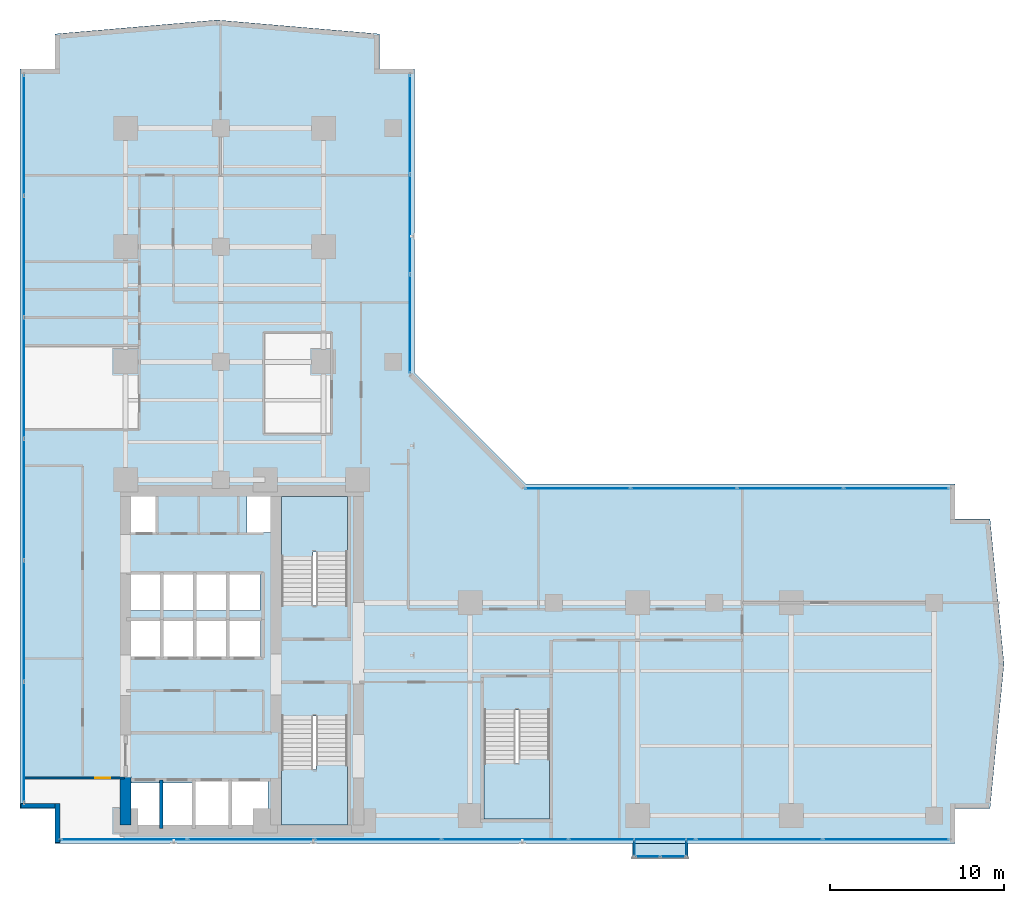
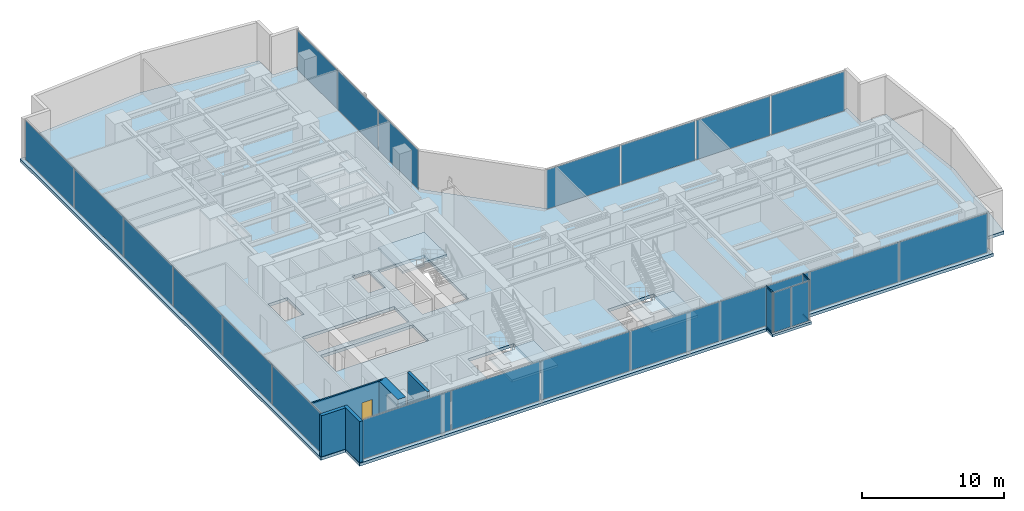
# One storey, part 19 of 28: 24 plates, 5 slabs, 5 walls, 4 members, 1 door, 1 opening, 10 elements without a shape of their own.
"""IFC4 building model written with IfcOpenShell, lengths in metres."""

from ifc_helpers import new_model, si_unit, direction, frame, frame_2d, origin, origin_with_axes, origin_2d, place, context, subcontext, project, spatial, polyline, rectangle, hollow_rectangle, outline, extrude, source, transform, mapped, material, layer, layer_set, material_profile, profile_set, type_object, element, fill, aggregate, save


model = new_model("IFC4")

# Units and contexts
model_context = context("Model", 3, precision=1e-05, world=origin(), true_north=direction((0.0, 1.0)))
body_context = subcontext(model_context, "Body", "Model", "MODEL_VIEW")
ifc_project = project(units=[si_unit("LENGTHUNIT", "METRE"), si_unit("AREAUNIT", "SQUARE_METRE"), si_unit("VOLUMEUNIT", "CUBIC_METRE"), si_unit("PLANEANGLEUNIT", "RADIAN"), si_unit("MASSUNIT", "GRAM", prefix="KILO")], contexts=[model_context])

# Site, building, storey
site_placement = place(None, origin())
site = spatial("IfcSite", under=ifc_project, at=site_placement, CompositionType="ELEMENT")
building_placement = place(site_placement, origin())
building = spatial("IfcBuilding", under=site, at=building_placement, Name="Kolvaren Waterfront Exchange", CompositionType="ELEMENT")
storey_placement = place(building_placement, frame((0.0, 0.0, 133.5)))
storey = spatial("IfcBuildingStorey", under=building, at=storey_placement, Name="L34", CompositionType="ELEMENT", Elevation=133.5)

# Curtain wall, members
ifc_material_1 = material(Name="Anodised bronze aluminium 6063-T6", Category="aluminium")
ifc_layer_1 = layer(ifc_material_1, 0.219970703125, Name="Anodised bronze aluminium 6063-T6")
ifc_layer_set_1 = layer_set([ifc_layer_1], Name="Anodised bronze aluminium 6063-T6")
curtain_wall_type_1 = type_object("IfcCurtainWallType", Name="ARC-CW-SYS3", PredefinedType="USERDEFINED", material=ifc_layer_set_1)
curtain_wall_1_placement = place(storey_placement, origin())
curtain_wall_1 = element("IfcCurtainWall", 1, at=curtain_wall_1_placement, inside=storey, type_object=curtain_wall_type_1, Name="L34 stick curtain wall CW3 (CW-L34-BOX-W)", ObjectType="STICK CURTAIN WALL", PredefinedType="USERDEFINED")
ifc_material_profile = material_profile(ifc_material_1, hollow_rectangle(XDim=0.06494140625, YDim=0.1298828125, WallThickness=0.00390625, at=origin_2d()), Name="ALU-TRN-130x65x4")
ifc_profile_set = profile_set([ifc_material_profile], Name="Anodised bronze aluminium 6063-T6")
member_type = type_object("IfcMemberType", Name="ARC-CWT-130", PredefinedType="USERDEFINED", material=ifc_profile_set)
shared_shape_1 = source(origin_with_axes(), body_context, "Body", "SweptSolid", [
    extrude(hollow_rectangle(XDim=0.06494140625, YDim=0.1298828125, WallThickness=0.00390625, at=origin_2d()), origin(), (0.0, 0.0, 1.0), 0.829833984375),
])
member_1_placement = place(storey_placement, frame((36.610107421875, 3.764892578125, 0.032470703125), z_axis=(0.0, -1.0, 0.0), x_axis=(1.0, 0.0, 0.0)))
member_1 = element("IfcMember", 2, at=member_1_placement, type_object=member_type, Name="CW3 transom 1.1", ObjectType="TRANSOM", PredefinedType="USERDEFINED", context=body_context, shape_type="MappedRepresentation", body=[
    mapped(shared_shape_1, transform((0.0, 0.0, 0.0), x_axis=(1.0, 0.0, 0.0), y_axis=(0.0, 1.0, 0.0), z_axis=(0.0, 0.0, 1.0), scale=1.0)),
])
member_2_placement = place(storey_placement, frame((36.610107421875, 3.764892578125, 3.507568359375), z_axis=(0.0, -1.0, 0.0), x_axis=(1.0, 0.0, 0.0)))
member_2 = element("IfcMember", 3, at=member_2_placement, type_object=member_type, Name="CW3 transom 1.2", ObjectType="TRANSOM", PredefinedType="USERDEFINED", context=body_context, shape_type="MappedRepresentation", body=[
    mapped(shared_shape_1, transform((0.0, 0.0, 0.0), x_axis=(1.0, 0.0, 0.0), y_axis=(0.0, 1.0, 0.0), z_axis=(0.0, 0.0, 1.0), scale=1.0)),
])

curtain_wall_2_placement = place(storey_placement, origin())
curtain_wall_2 = element("IfcCurtainWall", 4, at=curtain_wall_2_placement, inside=storey, type_object=curtain_wall_type_1, Name="L34 stick curtain wall CW3 (CW-L34-BOX-E)", ObjectType="STICK CURTAIN WALL", PredefinedType="USERDEFINED")
member_3_placement = place(storey_placement, frame((39.590087890625, 2.93505859375, 0.032470703125), z_axis=(0.0, 1.0, 0.0), x_axis=(-1.0, 0.0, 0.0)))
member_3 = element("IfcMember", 5, at=member_3_placement, type_object=member_type, Name="CW3 transom 1.1", ObjectType="TRANSOM", PredefinedType="USERDEFINED", context=body_context, shape_type="MappedRepresentation", body=[
    mapped(shared_shape_1, transform((0.0, 0.0, 0.0), x_axis=(1.0, 0.0, 0.0), y_axis=(0.0, 1.0, 0.0), z_axis=(0.0, 0.0, 1.0), scale=1.0)),
])
member_4_placement = place(storey_placement, frame((39.590087890625, 2.93505859375, 3.507568359375), z_axis=(0.0, 1.0, 0.0), x_axis=(-1.0, 0.0, 0.0)))
member_4 = element("IfcMember", 6, at=member_4_placement, type_object=member_type, Name="CW3 transom 1.2", ObjectType="TRANSOM", PredefinedType="USERDEFINED", context=body_context, shape_type="MappedRepresentation", body=[
    mapped(shared_shape_1, transform((0.0, 0.0, 0.0), x_axis=(1.0, 0.0, 0.0), y_axis=(0.0, 1.0, 0.0), z_axis=(0.0, 0.0, 1.0), scale=1.0)),
])

# Stair, slab
ifc_material_2 = material(Name="Concrete C40/50", Category="concrete")
stair_type = type_object("IfcStairType", Name="ARC-STAIR-3800", PredefinedType="HALF_TURN_STAIR", material=ifc_material_2)
stair_1_placement = place(storey_placement, origin())
stair_1 = element("IfcStair", 7, at=stair_1_placement, inside=storey, type_object=stair_type, Name="L34 Smoke-proof exit stair ST1", PredefinedType="HALF_TURN_STAIR")
ifc_layer_2 = layer(ifc_material_2, 0.199951171875, Name="Concrete C40/50")
ifc_layer_set_2 = layer_set([ifc_layer_2], Name="Concrete C40/50")
slab_type_1 = type_object("IfcSlabType", Name="STR-LANDING-200", PredefinedType="LANDING", material=ifc_layer_set_2)
slab_1_placement = place(storey_placement, frame((0.0, 0.0, 1.77587890625)))
slab_1 = element("IfcSlab", 8, at=slab_1_placement, type_object=slab_type_1, Name="ST1 landing 1", PredefinedType="LANDING", context=body_context, shape_type="SweptSolid", body=[
    extrude(outline(polyline([(16.39990234375, 7.840087890625), (16.39990234375, 4.64990234375), (20.159912109375, 4.64990234375), (20.159912109375, 8.10009765625), (18.360107421875, 8.10009765625), (18.360107421875, 7.840087890625), (16.39990234375, 7.840087890625)])), origin(), (0.0, 0.0, 1.0), 0.2001953125),
])
aggregate(stair_1, [slab_1])

stair_2_placement = place(storey_placement, origin())
stair_2 = element("IfcStair", 9, at=stair_2_placement, inside=storey, type_object=stair_type, Name="L34 Smoke-proof exit stair ST2", PredefinedType="HALF_TURN_STAIR")
slab_2_placement = place(storey_placement, frame((0.0, 0.0, 1.77587890625)))
slab_2 = element("IfcSlab", 10, at=slab_2_placement, type_object=slab_type_1, Name="ST2 landing 1", PredefinedType="LANDING", context=body_context, shape_type="SweptSolid", body=[
    extrude(outline(polyline([(20.159912109375, 20.31005859375), (20.159912109375, 23.5), (16.39990234375, 23.5), (16.39990234375, 20.050048828125), (18.199951171875, 20.050048828125), (18.199951171875, 20.31005859375), (20.159912109375, 20.31005859375)])), origin(), (0.0, 0.0, 1.0), 0.2001953125),
])
aggregate(stair_2, [slab_2])

stair_3_placement = place(storey_placement, origin())
stair_3 = element("IfcStair", 11, at=stair_3_placement, inside=storey, type_object=stair_type, Name="L34 Exit stair ST3", PredefinedType="HALF_TURN_STAIR")
slab_3_placement = place(storey_placement, frame((0.0, 0.0, 1.77587890625)))
slab_3 = element("IfcSlab", 12, at=slab_3_placement, type_object=slab_type_1, Name="ST3 landing 1", PredefinedType="LANDING", context=body_context, shape_type="SweptSolid", body=[
    extrude(outline(polyline([(28.0, 8.18994140625), (28.0, 5.0), (31.760009765625, 5.0), (31.760009765625, 8.449951171875), (29.9599609375, 8.449951171875), (29.9599609375, 8.18994140625), (28.0, 8.18994140625)])), origin(), (0.0, 0.0, 1.0), 0.2001953125),
])
aggregate(stair_3, [slab_3])

# Slabs
ifc_layer_3 = layer(ifc_material_2, 0.260009765625, Name="Concrete C40/50")
ifc_layer_set_3 = layer_set([ifc_layer_3], Name="Concrete C40/50")
slab_type_2 = type_object("IfcSlabType", Name="STR-SLAB-260", PredefinedType="FLOOR", material=ifc_layer_set_3)
slab_4_placement = place(storey_placement, frame((0.0, 0.0, -0.260009765625)))
element("IfcSlab", 13, at=slab_4_placement, inside=storey, type_object=slab_type_2, Name="L34 structural floor slab", PredefinedType="FLOOR", context=body_context, shape_type="SweptSolid", body=[
    extrude(outline(polyline([(3.39990234375, 3.60009765625), (55.0, 3.60009765625), (55.0, 5.60009765625), (57.0, 5.60009765625), (57.800048828125, 13.89990234375), (57.0, 22.199951171875), (55.0, 22.199951171875), (55.0, 24.199951171875), (30.39990234375, 24.199951171875), (24.0, 30.60009765625), (24.0, 48.0), (22.0, 48.0), (22.0, 50.0), (12.699951171875, 50.800048828125), (3.39990234375, 50.0), (3.39990234375, 48.0), (1.39990234375, 48.0), (1.39990234375, 5.60009765625), (3.39990234375, 5.60009765625), (3.39990234375, 3.60009765625)]), holes=[polyline([(11.320068359375, 7.260009765625), (15.610107421875, 7.260009765625), (15.610107421875, 4.5400390625), (7.719970703125, 4.5400390625), (7.719970703125, 7.06005859375), (11.320068359375, 7.06005859375), (11.320068359375, 7.260009765625)]), polyline([(20.159912109375, 10.89990234375), (20.159912109375, 4.64990234375), (16.39990234375, 4.64990234375), (16.39990234375, 10.89990234375), (20.159912109375, 10.89990234375)]), polyline([(31.760009765625, 11.25), (31.760009765625, 5.0), (28.0, 5.0), (28.0, 11.25), (31.760009765625, 11.25)]), polyline([(15.18505859375, 14.239990234375), (7.64501953125, 14.239990234375), (7.64501953125, 16.4599609375), (15.18505859375, 16.4599609375), (15.18505859375, 14.239990234375)]), polyline([(15.159912109375, 16.93994140625), (7.669921875, 16.93994140625), (7.669921875, 19.06005859375), (15.159912109375, 19.06005859375), (15.159912109375, 16.93994140625)]), polyline([(16.39990234375, 23.5), (20.159912109375, 23.5), (20.159912109375, 17.25), (16.39990234375, 17.25), (16.39990234375, 23.5)]), polyline([(7.60009765625, 23.780029296875), (9.179931640625, 23.780029296875), (9.179931640625, 21.419921875), (7.60009765625, 21.419921875), (7.60009765625, 23.780029296875)]), polyline([(15.800048828125, 23.780029296875), (15.800048828125, 21.419921875), (14.419921875, 21.419921875), (14.419921875, 23.780029296875), (15.800048828125, 23.780029296875)])]), origin(), (0.0, 0.0, 1.0), 0.260009765625),
])
ifc_layer_4 = layer(ifc_material_2, 0.219970703125, Name="Concrete C40/50")
ifc_layer_set_4 = layer_set([ifc_layer_4], Name="Concrete C40/50")
slab_type_3 = type_object("IfcSlabType", Name="STR-TERR-220", PredefinedType="FLOOR", material=ifc_layer_set_4)
slab_5_placement = place(storey_placement, frame((0.0, 0.0, -0.219970703125)))
element("IfcSlab", 14, at=slab_5_placement, inside=storey, type_object=slab_type_3, Name="L34 projecting bay-box floor strip", PredefinedType="FLOOR", context=body_context, shape_type="SweptSolid", body=[
    extrude(outline(polyline([(36.5, 2.75), (39.699951171875, 2.75), (39.699951171875, 3.60009765625), (36.5, 3.60009765625), (36.5, 2.75)])), origin(), (0.0, 0.0, 1.0), 0.219970703125),
])

# Plate
ifc_material_3 = material(Name="Bronze tinted bay-box vision glass", Category="aluminium")
ifc_layer_5 = layer(ifc_material_3, 0.02392578125, Name="Bronze tinted bay-box vision glass")
ifc_layer_set_5 = layer_set([ifc_layer_5], Name="Bronze tinted bay-box vision glass")
plate_type_1 = type_object("IfcPlateType", Name="ARC-CWP-24", PredefinedType="CURTAIN_PANEL", material=ifc_layer_set_5)
shared_shape_2 = source(origin_with_axes(), body_context, "Body", "SweptSolid", [
    extrude(rectangle(XDim=0.830078125, YDim=0.02392578125, at=origin_2d()), origin(), (0.0, 0.0, 1.0), 3.409912109375),
])
plate_1_placement = place(storey_placement, frame((36.610107421875, 3.35009765625, 0.06494140625), z_axis=(0.0, 0.0, 1.0), x_axis=(0.0, -1.0, 0.0)))
plate_1 = element("IfcPlate", 15, at=plate_1_placement, type_object=plate_type_1, Name="CW3 panel 1.1", PredefinedType="CURTAIN_PANEL", context=body_context, shape_type="MappedRepresentation", body=[
    mapped(shared_shape_2, transform((0.0, 0.0, 0.0), x_axis=(1.0, 0.0, 0.0), y_axis=(0.0, 1.0, 0.0), z_axis=(0.0, 0.0, 1.0), scale=1.0)),
])

aggregate(curtain_wall_1, [member_1, member_2, plate_1])

plate_2_placement = place(storey_placement, frame((39.590087890625, 3.35009765625, 0.06494140625), z_axis=(0.0, 0.0, 1.0), x_axis=(0.0, 1.0, 0.0)))
plate_2 = element("IfcPlate", 16, at=plate_2_placement, type_object=plate_type_1, Name="CW3 panel 1.1", PredefinedType="CURTAIN_PANEL", context=body_context, shape_type="MappedRepresentation", body=[
    mapped(shared_shape_2, transform((0.0, 0.0, 0.0), x_axis=(1.0, 0.0, 0.0), y_axis=(0.0, 1.0, 0.0), z_axis=(0.0, 0.0, 1.0), scale=1.0)),
])

aggregate(curtain_wall_2, [member_3, member_4, plate_2])

# Curtain wall, plates
curtain_wall_3_placement = place(storey_placement, origin())
curtain_wall_3 = element("IfcCurtainWall", 17, at=curtain_wall_3_placement, inside=storey, type_object=curtain_wall_type_1, Name="L34 stick curtain wall CW3 (CW-L34-BOX)", ObjectType="STICK CURTAIN WALL", PredefinedType="USERDEFINED")
shared_shape_3 = source(origin_with_axes(), body_context, "Body", "SweptSolid", [
    extrude(rectangle(XDim=1.37744140625, YDim=0.02392578125, at=origin_2d()), origin(), (0.0, 0.0, 1.0), 3.409912109375),
])
plate_3_placement = place(storey_placement, frame((37.373779296875, 2.860107421875, 0.06494140625), z_axis=(0.0, 0.0, 1.0), x_axis=(1.0, 0.0, 0.0)))
plate_3 = element("IfcPlate", 18, at=plate_3_placement, type_object=plate_type_1, Name="CW3 panel 1.1", PredefinedType="CURTAIN_PANEL", context=body_context, shape_type="MappedRepresentation", body=[
    mapped(shared_shape_3, transform((0.0, 0.0, 0.0), x_axis=(1.0, 0.0, 0.0), y_axis=(0.0, 1.0, 0.0), z_axis=(0.0, 0.0, 1.0), scale=1.0)),
])
plate_4_placement = place(storey_placement, frame((38.826171875, 2.860107421875, 0.06494140625), z_axis=(0.0, 0.0, 1.0), x_axis=(1.0, 0.0, 0.0)))
plate_4 = element("IfcPlate", 19, at=plate_4_placement, type_object=plate_type_1, Name="CW3 panel 2.1", PredefinedType="CURTAIN_PANEL", context=body_context, shape_type="MappedRepresentation", body=[
    mapped(shared_shape_3, transform((0.0, 0.0, 0.0), x_axis=(1.0, 0.0, 0.0), y_axis=(0.0, 1.0, 0.0), z_axis=(0.0, 0.0, 1.0), scale=1.0)),
])
aggregate(curtain_wall_3, [plate_3, plate_4])

ifc_material_4 = material(Name="Anodised aluminium 6063-T6", Category="aluminium")
ifc_layer_6 = layer(ifc_material_4, 0.219970703125, Name="Anodised aluminium 6063-T6")
ifc_layer_set_6 = layer_set([ifc_layer_6], Name="Anodised aluminium 6063-T6")
curtain_wall_type_2 = type_object("IfcCurtainWallType", Name="ARC-CW-SYS2", PredefinedType="USERDEFINED", material=ifc_layer_set_6)
curtain_wall_4_placement = place(storey_placement, origin())
curtain_wall_4 = element("IfcCurtainWall", 20, at=curtain_wall_4_placement, inside=storey, type_object=curtain_wall_type_2, Name="L34 stick curtain wall CW2 (CW-L34-W)", ObjectType="STICK CURTAIN WALL", PredefinedType="USERDEFINED")
ifc_material_5 = material(Name="Acoustic laminated vision glass", Category="glass")
ifc_layer_7 = layer(ifc_material_5, 0.031982421875, Name="Acoustic laminated vision glass")
ifc_layer_set_7 = layer_set([ifc_layer_7], Name="Acoustic laminated vision glass")
plate_type_2 = type_object("IfcPlateType", Name="ARC-CWP-32", PredefinedType="CURTAIN_PANEL", material=ifc_layer_set_7)
shared_shape_4 = source(origin_with_axes(), body_context, "Body", "SweptSolid", [
    extrude(rectangle(XDim=6.8466796875, YDim=0.031982421875, at=origin_2d()), origin(), (0.0, 0.0, 1.0), 3.389892578125),
])
plate_5_placement = place(storey_placement, frame((1.639892578125, 9.4033203125, 0.0751953125), z_axis=(0.0, 0.0, 1.0), x_axis=(0.0, 1.0, 0.0)))
plate_5 = element("IfcPlate", 21, at=plate_5_placement, type_object=plate_type_2, Name="CW2 panel 1.1", PredefinedType="CURTAIN_PANEL", context=body_context, shape_type="MappedRepresentation", body=[
    mapped(shared_shape_4, transform((0.0, 0.0, 0.0), x_axis=(1.0, 0.0, 0.0), y_axis=(0.0, 1.0, 0.0), z_axis=(0.0, 0.0, 1.0), scale=1.0)),
])
plate_6_placement = place(storey_placement, frame((1.639892578125, 44.19677734375, 0.0751953125), z_axis=(0.0, 0.0, 1.0), x_axis=(0.0, 1.0, 0.0)))
plate_6 = element("IfcPlate", 22, at=plate_6_placement, type_object=plate_type_2, Name="CW2 panel 6.1", PredefinedType="CURTAIN_PANEL", context=body_context, shape_type="MappedRepresentation", body=[
    mapped(shared_shape_4, transform((0.0, 0.0, 0.0), x_axis=(1.0, 0.0, 0.0), y_axis=(0.0, 1.0, 0.0), z_axis=(0.0, 0.0, 1.0), scale=1.0)),
])
shared_shape_5 = source(origin_with_axes(), body_context, "Body", "SweptSolid", [
    extrude(rectangle(XDim=6.88671875, YDim=0.031982421875, at=origin_2d()), origin(), (0.0, 0.0, 1.0), 3.389892578125),
])
plate_7_placement = place(storey_placement, frame((1.639892578125, 16.35009765625, 0.0751953125), z_axis=(0.0, 0.0, 1.0), x_axis=(0.0, 1.0, 0.0)))
plate_7 = element("IfcPlate", 23, at=plate_7_placement, type_object=plate_type_2, Name="CW2 panel 2.1", PredefinedType="CURTAIN_PANEL", context=body_context, shape_type="MappedRepresentation", body=[
    mapped(shared_shape_5, transform((0.0, 0.0, 0.0), x_axis=(1.0, 0.0, 0.0), y_axis=(0.0, 1.0, 0.0), z_axis=(0.0, 0.0, 1.0), scale=1.0)),
])
plate_8_placement = place(storey_placement, frame((1.639892578125, 23.316650390625, 0.0751953125), z_axis=(0.0, 0.0, 1.0), x_axis=(0.0, 1.0, 0.0)))
plate_8 = element("IfcPlate", 24, at=plate_8_placement, type_object=plate_type_2, Name="CW2 panel 3.1", PredefinedType="CURTAIN_PANEL", context=body_context, shape_type="MappedRepresentation", body=[
    mapped(shared_shape_5, transform((0.0, 0.0, 0.0), x_axis=(1.0, 0.0, 0.0), y_axis=(0.0, 1.0, 0.0), z_axis=(0.0, 0.0, 1.0), scale=1.0)),
])
plate_9_placement = place(storey_placement, frame((1.639892578125, 30.283447265625, 0.0751953125), z_axis=(0.0, 0.0, 1.0), x_axis=(0.0, 1.0, 0.0)))
plate_9 = element("IfcPlate", 25, at=plate_9_placement, type_object=plate_type_2, Name="CW2 panel 4.1", PredefinedType="CURTAIN_PANEL", context=body_context, shape_type="MappedRepresentation", body=[
    mapped(shared_shape_5, transform((0.0, 0.0, 0.0), x_axis=(1.0, 0.0, 0.0), y_axis=(0.0, 1.0, 0.0), z_axis=(0.0, 0.0, 1.0), scale=1.0)),
])
plate_10_placement = place(storey_placement, frame((1.639892578125, 37.25, 0.0751953125), z_axis=(0.0, 0.0, 1.0), x_axis=(0.0, 1.0, 0.0)))
plate_10 = element("IfcPlate", 26, at=plate_10_placement, type_object=plate_type_2, Name="CW2 panel 5.1", PredefinedType="CURTAIN_PANEL", context=body_context, shape_type="MappedRepresentation", body=[
    mapped(shared_shape_5, transform((0.0, 0.0, 0.0), x_axis=(1.0, 0.0, 0.0), y_axis=(0.0, 1.0, 0.0), z_axis=(0.0, 0.0, 1.0), scale=1.0)),
])
aggregate(curtain_wall_4, [plate_5, plate_7, plate_8, plate_9, plate_10, plate_6])

ifc_layer_8 = layer(ifc_material_1, 0.219970703125, Name="Anodised bronze aluminium 6063-T6")
ifc_layer_set_8 = layer_set([ifc_layer_8], Name="Anodised bronze aluminium 6063-T6")
curtain_wall_type_3 = type_object("IfcCurtainWallType", Name="ARC-CW-SYS1", PredefinedType="USERDEFINED", material=ifc_layer_set_8)
curtain_wall_5_placement = place(storey_placement, origin())
curtain_wall_5 = element("IfcCurtainWall", 27, at=curtain_wall_5_placement, inside=storey, type_object=curtain_wall_type_3, Name="L34 stick curtain wall CW1 (CW-L34-NE)", ObjectType="STICK CURTAIN WALL", PredefinedType="USERDEFINED")
ifc_material_6 = material(Name="Bronze solar control vision glass", Category="aluminium")
ifc_layer_9 = layer(ifc_material_6, 0.028076171875, Name="Bronze solar control vision glass")
ifc_layer_set_9 = layer_set([ifc_layer_9], Name="Bronze solar control vision glass")
plate_type_3 = type_object("IfcPlateType", Name="ARC-CWP-28", PredefinedType="CURTAIN_PANEL", material=ifc_layer_set_9)
shared_shape_6 = source(origin_with_axes(), body_context, "Body", "SweptSolid", [
    extrude(rectangle(XDim=5.61669921875, YDim=0.028076171875, at=origin_2d()), origin(), (0.0, 0.0, 1.0), 3.389892578125),
])
plate_11_placement = place(storey_placement, frame((23.760009765625, 33.37841796875, 0.0751953125), z_axis=(0.0, 0.0, 1.0), x_axis=(0.0, 1.0, 0.0)))
plate_11 = element("IfcPlate", 28, at=plate_11_placement, type_object=plate_type_3, Name="CW1 panel 1.1", PredefinedType="CURTAIN_PANEL", context=body_context, shape_type="MappedRepresentation", body=[
    mapped(shared_shape_6, transform((0.0, 0.0, 0.0), x_axis=(1.0, 0.0, 0.0), y_axis=(0.0, 1.0, 0.0), z_axis=(0.0, 0.0, 1.0), scale=1.0)),
])
plate_12_placement = place(storey_placement, frame((23.760009765625, 44.811767578125, 0.0751953125), z_axis=(0.0, 0.0, 1.0), x_axis=(0.0, 1.0, 0.0)))
plate_12 = element("IfcPlate", 29, at=plate_12_placement, type_object=plate_type_3, Name="CW1 panel 3.1", PredefinedType="CURTAIN_PANEL", context=body_context, shape_type="MappedRepresentation", body=[
    mapped(shared_shape_6, transform((0.0, 0.0, 0.0), x_axis=(1.0, 0.0, 0.0), y_axis=(0.0, 1.0, 0.0), z_axis=(0.0, 0.0, 1.0), scale=1.0)),
])
shared_shape_7 = source(origin_with_axes(), body_context, "Body", "SweptSolid", [
    extrude(rectangle(XDim=5.65673828125, YDim=0.028076171875, at=origin_2d()), origin(), (0.0, 0.0, 1.0), 3.389892578125),
])
plate_13_placement = place(storey_placement, frame((23.760009765625, 39.094970703125, 0.0751953125), z_axis=(0.0, 0.0, 1.0), x_axis=(0.0, 1.0, 0.0)))
plate_13 = element("IfcPlate", 30, at=plate_13_placement, type_object=plate_type_3, Name="CW1 panel 2.1", PredefinedType="CURTAIN_PANEL", context=body_context, shape_type="MappedRepresentation", body=[
    mapped(shared_shape_7, transform((0.0, 0.0, 0.0), x_axis=(1.0, 0.0, 0.0), y_axis=(0.0, 1.0, 0.0), z_axis=(0.0, 0.0, 1.0), scale=1.0)),
])
aggregate(curtain_wall_5, [plate_11, plate_13, plate_12])

curtain_wall_6_placement = place(storey_placement, origin())
curtain_wall_6 = element("IfcCurtainWall", 31, at=curtain_wall_6_placement, inside=storey, type_object=curtain_wall_type_3, Name="L34 stick curtain wall CW1 (CW-L34-EN)", ObjectType="STICK CURTAIN WALL", PredefinedType="USERDEFINED")
shared_shape_8 = source(origin_with_axes(), body_context, "Body", "SweptSolid", [
    extrude(rectangle(XDim=5.982421875, YDim=0.028076171875, at=origin_2d()), origin(), (0.0, 0.0, 1.0), 3.389892578125),
])
plate_14_placement = place(storey_placement, frame((33.361328125, 23.9599609375, 0.0751953125), z_axis=(0.0, 0.0, 1.0), x_axis=(1.0, 0.0, 0.0)))
plate_14 = element("IfcPlate", 32, at=plate_14_placement, type_object=plate_type_3, Name="CW1 panel 1.1", PredefinedType="CURTAIN_PANEL", context=body_context, shape_type="MappedRepresentation", body=[
    mapped(shared_shape_8, transform((0.0, 0.0, 0.0), x_axis=(1.0, 0.0, 0.0), y_axis=(0.0, 1.0, 0.0), z_axis=(0.0, 0.0, 1.0), scale=1.0)),
])
plate_15_placement = place(storey_placement, frame((51.628662109375, 23.9599609375, 0.0751953125), z_axis=(0.0, 0.0, 1.0), x_axis=(1.0, 0.0, 0.0)))
plate_15 = element("IfcPlate", 33, at=plate_15_placement, type_object=plate_type_3, Name="CW1 panel 4.1", PredefinedType="CURTAIN_PANEL", context=body_context, shape_type="MappedRepresentation", body=[
    mapped(shared_shape_8, transform((0.0, 0.0, 0.0), x_axis=(1.0, 0.0, 0.0), y_axis=(0.0, 1.0, 0.0), z_axis=(0.0, 0.0, 1.0), scale=1.0)),
])
shared_shape_9 = source(origin_with_axes(), body_context, "Body", "SweptSolid", [
    extrude(rectangle(XDim=6.0224609375, YDim=0.028076171875, at=origin_2d()), origin(), (0.0, 0.0, 1.0), 3.389892578125),
])
plate_16_placement = place(storey_placement, frame((39.44384765625, 23.9599609375, 0.0751953125), z_axis=(0.0, 0.0, 1.0), x_axis=(1.0, 0.0, 0.0)))
plate_16 = element("IfcPlate", 34, at=plate_16_placement, type_object=plate_type_3, Name="CW1 panel 2.1", PredefinedType="CURTAIN_PANEL", context=body_context, shape_type="MappedRepresentation", body=[
    mapped(shared_shape_9, transform((0.0, 0.0, 0.0), x_axis=(1.0, 0.0, 0.0), y_axis=(0.0, 1.0, 0.0), z_axis=(0.0, 0.0, 1.0), scale=1.0)),
])
plate_17_placement = place(storey_placement, frame((45.546142578125, 23.9599609375, 0.0751953125), z_axis=(0.0, 0.0, 1.0), x_axis=(1.0, 0.0, 0.0)))
plate_17 = element("IfcPlate", 35, at=plate_17_placement, type_object=plate_type_3, Name="CW1 panel 3.1", PredefinedType="CURTAIN_PANEL", context=body_context, shape_type="MappedRepresentation", body=[
    mapped(shared_shape_9, transform((0.0, 0.0, 0.0), x_axis=(1.0, 0.0, 0.0), y_axis=(0.0, 1.0, 0.0), z_axis=(0.0, 0.0, 1.0), scale=1.0)),
])
aggregate(curtain_wall_6, [plate_14, plate_16, plate_17, plate_15])

curtain_wall_7_placement = place(storey_placement, origin())
curtain_wall_7 = element("IfcCurtainWall", 36, at=curtain_wall_7_placement, inside=storey, type_object=curtain_wall_type_3, Name="L34 stick curtain wall CW1 (CW-L34-S)", ObjectType="STICK CURTAIN WALL", PredefinedType="USERDEFINED")
shared_shape_10 = source(origin_with_axes(), body_context, "Body", "SweptSolid", [
    extrude(rectangle(XDim=7.165771484375, YDim=0.028076171875, at=origin_2d()), origin(), (0.0, 0.0, 1.0), 3.389892578125),
])
plate_18_placement = place(storey_placement, frame((7.36279296875, 3.840087890625, 0.0751953125), z_axis=(0.0, 0.0, 1.0), x_axis=(1.0, 0.0, 0.0)))
plate_18 = element("IfcPlate", 37, at=plate_18_placement, type_object=plate_type_3, Name="CW1 panel 1.1", PredefinedType="CURTAIN_PANEL", context=body_context, shape_type="MappedRepresentation", body=[
    mapped(shared_shape_10, transform((0.0, 0.0, 0.0), x_axis=(1.0, 0.0, 0.0), y_axis=(0.0, 1.0, 0.0), z_axis=(0.0, 0.0, 1.0), scale=1.0)),
])
plate_19_placement = place(storey_placement, frame((51.037109375, 3.840087890625, 0.0751953125), z_axis=(0.0, 0.0, 1.0), x_axis=(1.0, 0.0, 0.0)))
plate_19 = element("IfcPlate", 38, at=plate_19_placement, type_object=plate_type_3, Name="CW1 panel 7.1", PredefinedType="CURTAIN_PANEL", context=body_context, shape_type="MappedRepresentation", body=[
    mapped(shared_shape_10, transform((0.0, 0.0, 0.0), x_axis=(1.0, 0.0, 0.0), y_axis=(0.0, 1.0, 0.0), z_axis=(0.0, 0.0, 1.0), scale=1.0)),
])
shared_shape_11 = source(origin_with_axes(), body_context, "Body", "SweptSolid", [
    extrude(rectangle(XDim=7.205810546875, YDim=0.028076171875, at=origin_2d()), origin(), (0.0, 0.0, 1.0), 3.389892578125),
])
plate_20_placement = place(storey_placement, frame((14.628662109375, 3.840087890625, 0.0751953125), z_axis=(0.0, 0.0, 1.0), x_axis=(1.0, 0.0, 0.0)))
plate_20 = element("IfcPlate", 39, at=plate_20_placement, type_object=plate_type_3, Name="CW1 panel 2.1", PredefinedType="CURTAIN_PANEL", context=body_context, shape_type="MappedRepresentation", body=[
    mapped(shared_shape_11, transform((0.0, 0.0, 0.0), x_axis=(1.0, 0.0, 0.0), y_axis=(0.0, 1.0, 0.0), z_axis=(0.0, 0.0, 1.0), scale=1.0)),
])
plate_21_placement = place(storey_placement, frame((21.914306640625, 3.840087890625, 0.0751953125), z_axis=(0.0, 0.0, 1.0), x_axis=(1.0, 0.0, 0.0)))
plate_21 = element("IfcPlate", 40, at=plate_21_placement, type_object=plate_type_3, Name="CW1 panel 3.1", PredefinedType="CURTAIN_PANEL", context=body_context, shape_type="MappedRepresentation", body=[
    mapped(shared_shape_11, transform((0.0, 0.0, 0.0), x_axis=(1.0, 0.0, 0.0), y_axis=(0.0, 1.0, 0.0), z_axis=(0.0, 0.0, 1.0), scale=1.0)),
])
plate_22_placement = place(storey_placement, frame((29.199951171875, 3.840087890625, 0.0751953125), z_axis=(0.0, 0.0, 1.0), x_axis=(1.0, 0.0, 0.0)))
plate_22 = element("IfcPlate", 41, at=plate_22_placement, type_object=plate_type_3, Name="CW1 panel 4.1", PredefinedType="CURTAIN_PANEL", context=body_context, shape_type="MappedRepresentation", body=[
    mapped(shared_shape_11, transform((0.0, 0.0, 0.0), x_axis=(1.0, 0.0, 0.0), y_axis=(0.0, 1.0, 0.0), z_axis=(0.0, 0.0, 1.0), scale=1.0)),
])
plate_23_placement = place(storey_placement, frame((36.485595703125, 3.840087890625, 0.0751953125), z_axis=(0.0, 0.0, 1.0), x_axis=(1.0, 0.0, 0.0)))
plate_23 = element("IfcPlate", 42, at=plate_23_placement, type_object=plate_type_3, Name="CW1 panel 5.1", PredefinedType="CURTAIN_PANEL", context=body_context, shape_type="MappedRepresentation", body=[
    mapped(shared_shape_11, transform((0.0, 0.0, 0.0), x_axis=(1.0, 0.0, 0.0), y_axis=(0.0, 1.0, 0.0), z_axis=(0.0, 0.0, 1.0), scale=1.0)),
])
plate_24_placement = place(storey_placement, frame((43.771484375, 3.840087890625, 0.0751953125), z_axis=(0.0, 0.0, 1.0), x_axis=(1.0, 0.0, 0.0)))
plate_24 = element("IfcPlate", 43, at=plate_24_placement, type_object=plate_type_3, Name="CW1 panel 6.1", PredefinedType="CURTAIN_PANEL", context=body_context, shape_type="MappedRepresentation", body=[
    mapped(shared_shape_11, transform((0.0, 0.0, 0.0), x_axis=(1.0, 0.0, 0.0), y_axis=(0.0, 1.0, 0.0), z_axis=(0.0, 0.0, 1.0), scale=1.0)),
])
aggregate(curtain_wall_7, [plate_18, plate_20, plate_21, plate_22, plate_23, plate_24, plate_19])

# Walls
ifc_material_7 = material(Name="Precast concrete C40/50", Category="concrete")
ifc_layer_10 = layer(ifc_material_7, 0.280029296875, Name="Precast concrete C40/50")
ifc_layer_set_10 = layer_set([ifc_layer_10], Name="Precast concrete C40/50")
wall_type_1 = type_object("IfcWallType", Name="ARC-EXT-TERR-280", PredefinedType="SOLIDWALL", material=ifc_layer_set_10)
wall_1_placement = place(storey_placement, frame((3.56005859375, 3.659912109375, 0.0), z_axis=(0.0, 0.0, 1.0), x_axis=(0.0, 1.0, 0.0)))
element("IfcWall", 44, at=wall_1_placement, inside=storey, type_object=wall_type_1, Name="L34 notched corner spandrel pier SW-A", PredefinedType="SOLIDWALL", context=body_context, shape_type="SweptSolid", body=[
    extrude(rectangle(XDim=2.239990234375, YDim=0.280029296875, at=frame_2d((1.1201171875, 0.0))), origin(), (0.0, 0.0, 1.0), 3.5400390625),
])
wall_2_placement = place(storey_placement, frame((1.4599609375, 5.760009765625, 0.0), z_axis=(0.0, 0.0, 1.0), x_axis=(1.0, 0.0, 0.0)))
element("IfcWall", 45, at=wall_2_placement, inside=storey, type_object=wall_type_1, Name="L34 notched corner spandrel pier SW-B", PredefinedType="SOLIDWALL", context=body_context, shape_type="SweptSolid", body=[
    extrude(rectangle(XDim=1.9599609375, YDim=0.280029296875, at=frame_2d((0.97998046875, 0.0))), origin(), (0.0, 0.0, 1.0), 3.5400390625),
])

# Wall, opening, door
ifc_material_8 = material(Name="Acoustic gypsum steel stud", Category="steel")
ifc_layer_11 = layer(ifc_material_8, 0.125, Name="Acoustic gypsum steel stud")
ifc_layer_set_11 = layer_set([ifc_layer_11], Name="Acoustic gypsum steel stud")
wall_type_2 = type_object("IfcWallType", Name="ARC-PART-125", PredefinedType="PARTITIONING", material=ifc_layer_set_11)
wall_3_placement = place(storey_placement, frame((1.639892578125, 7.35009765625, 0.0), z_axis=(0.0, 0.0, 1.0), x_axis=(1.0, 0.0, 0.0)))
wall_3 = element("IfcWall", 46, at=wall_3_placement, inside=storey, type_object=wall_type_2, Name="L34 interior wall PW-L34-SWC-N", PredefinedType="PARTITIONING", context=body_context, shape_type="SweptSolid", body=[
    extrude(rectangle(XDim=5.760009765625, YDim=0.125, at=frame_2d((2.8798828125, 0.0))), origin(), (0.0, 0.0, 1.0), 3.5400390625),
])
opening_placement = place(wall_3_placement, frame((4.086669921875, 0.0, 0.0)))
opening = element("IfcOpeningElement", 47, at=opening_placement, cuts=wall_3, Name="Opening D01", PredefinedType="OPENING", context=body_context, shape_type="SweptSolid", body=[
    extrude(rectangle(XDim=0.85009765625, YDim=2.14990234375, at=frame_2d((0.425048828125, 1.074951171875))), frame((0.0, 0.072509765625, 0.0), z_axis=(0.0, -1.0, 0.0), x_axis=(1.0, 0.0, 0.0)), (0.0, 0.0, 1.0), 0.14501953125),
])
ifc_material_9 = material(Name="Oak veneer timber leaf", Category="wood")
door_type = type_object("IfcDoorType", Name="ARC-DR-900", OperationType="NOTDEFINED", PredefinedType="DOOR", material=ifc_material_9)
door_placement = place(opening_placement, origin())
door = element("IfcDoor", 48, at=door_placement, inside=storey, type_object=door_type, Name="L34 door DR-L34-SWC-D (D01)", OperationType="SINGLE_SWING_RIGHT", OverallHeight=2.14990234375, OverallWidth=0.85009765625, PredefinedType="DOOR", context=body_context, shape_type="SweptSolid", body=[
    extrude(rectangle(XDim=0.85009765625, YDim=2.14990234375, at=frame_2d((0.425048828125, 1.074951171875))), frame((0.0, 0.02490234375, 0.0), z_axis=(0.0, -1.0, 0.0), x_axis=(1.0, 0.0, 0.0)), (0.0, 0.0, 1.0), 0.050048828125),
])
fill(opening, door)

# Walls
ifc_layer_12 = layer(ifc_material_2, 0.199951171875, Name="Concrete C40/50")
ifc_layer_set_12 = layer_set([ifc_layer_12], Name="Concrete C40/50")
wall_type_3 = type_object("IfcWallType", Name="ARC-SHAFT-200", PredefinedType="PARTITIONING", material=ifc_layer_set_12)
wall_4_placement = place(storey_placement, frame((9.5, 4.449951171875, 0.0), z_axis=(0.0, 0.0, 1.0), x_axis=(0.0, 1.0, 0.0)))
element("IfcWall", 49, at=wall_4_placement, inside=storey, type_object=wall_type_3, Name="L34 interior wall PW-L34-SH1-DIV-95", PredefinedType="PARTITIONING", context=body_context, shape_type="SweptSolid", body=[
    extrude(rectangle(XDim=2.800048828125, YDim=0.199951171875, at=frame_2d((1.39990234375, 0.0))), origin(), (0.0, 0.0, 1.0), 3.5400390625),
])
ifc_material_10 = material(Name="Concrete C60/75", Category="concrete")
ifc_layer_13 = layer(ifc_material_10, 0.64990234375, Name="Concrete C60/75")
ifc_layer_set_13 = layer_set([ifc_layer_13], Name="Concrete C60/75")
wall_type_4 = type_object("IfcWallType", Name="STR-CWALL-650", PredefinedType="SHEAR", material=ifc_layer_set_13)
wall_5_placement = place(storey_placement, frame((7.449951171875, 4.64990234375, 0.0), z_axis=(0.0, 0.0, 1.0), x_axis=(0.0, 1.0, 0.0)))
element("IfcWall", 50, at=wall_5_placement, inside=storey, type_object=wall_type_4, Name="L34 rear-core shear wall W1", PredefinedType="SHEAR", context=body_context, shape_type="SweptSolid", body=[
    extrude(rectangle(XDim=2.800048828125, YDim=0.64990234375, at=frame_2d((1.39990234375, 0.0))), origin(), (0.0, 0.0, 1.0), 3.5400390625),
])

save(model, "model.ifc")
